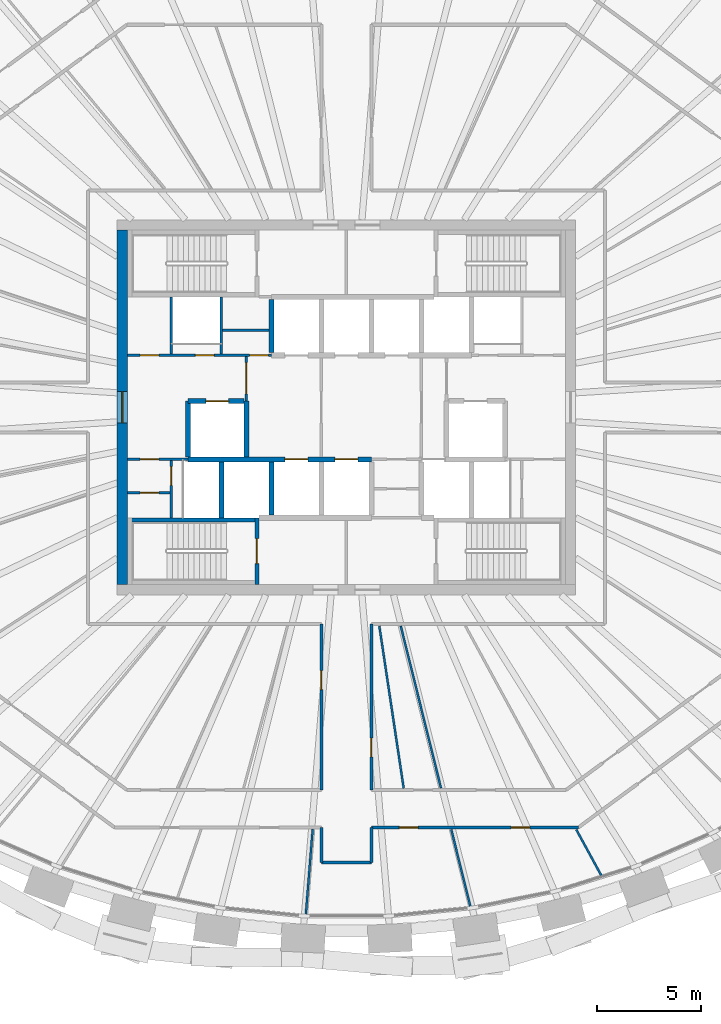
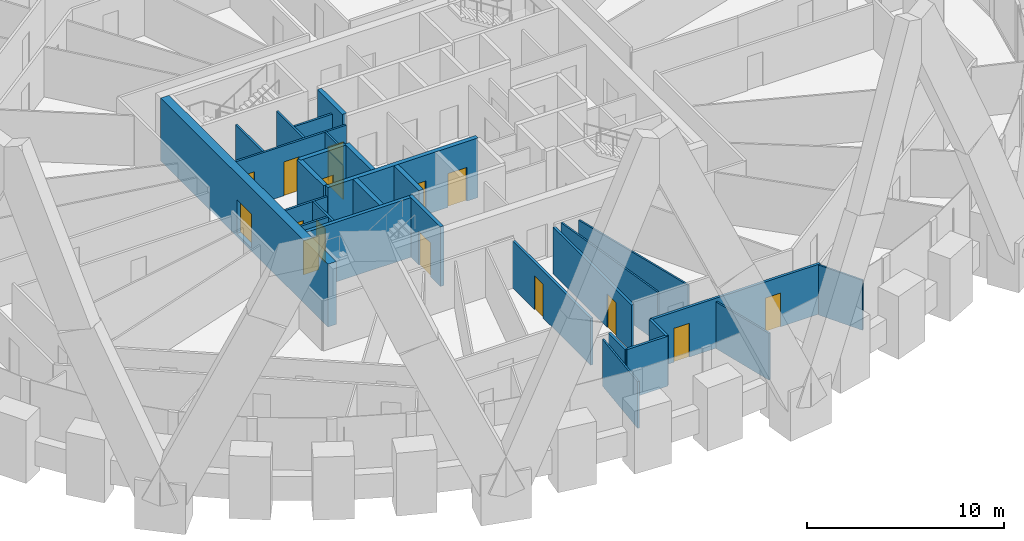
# One storey, part 8 of 14: 29 walls, 16 doors, 16 openings.
"""IFC4 building model written with IfcOpenShell, lengths in metres."""

from ifc_helpers import new_model, si_unit, direction, frame, frame_2d, origin, place, context, subcontext, project, spatial, rectangle, extrude, source, transform, mapped, material, layer, layer_set, type_object, element, fill, save


model = new_model("IFC4")

# Units and contexts
model_context = context("Model", 3, precision=1e-05, world=origin(), true_north=direction((0.0, 1.0)))
body_context = subcontext(model_context, "Body", "Model", "MODEL_VIEW")
ifc_project = project(units=[si_unit("LENGTHUNIT", "METRE"), si_unit("AREAUNIT", "SQUARE_METRE"), si_unit("VOLUMEUNIT", "CUBIC_METRE"), si_unit("PLANEANGLEUNIT", "RADIAN"), si_unit("MASSUNIT", "GRAM", prefix="KILO")], contexts=[model_context])

# Site, building, storey
site_placement = place(None, origin())
site = spatial("IfcSite", under=ifc_project, at=site_placement, CompositionType="ELEMENT")
building_placement = place(site_placement, origin())
building = spatial("IfcBuilding", under=site, at=building_placement, Name="Embergate Tower", CompositionType="ELEMENT")
storey_placement = place(building_placement, frame((0.0, 0.0, 257.800048828125)))
storey = spatial("IfcBuildingStorey", under=building, at=storey_placement, Name="L59", CompositionType="ELEMENT", Elevation=257.800048828125)

# Wall, opening, door
ifc_material_1 = material(Name="Concrete C50", Category="concrete")
ifc_layer_1 = layer(ifc_material_1, 0.5)
ifc_layer_set_1 = layer_set([ifc_layer_1], Name="Concrete C50")
wall_type_1 = type_object("IfcWallType", Name="Core outer wall C50 500", PredefinedType="SHEAR", material=ifc_layer_set_1)
shared_shape_1 = source(origin(), body_context, "Body", "SweptSolid", [
    extrude(rectangle(XDim=17.0, YDim=0.5, at=frame_2d((8.5, 0.0))), origin(), (0.0, 0.0, 1.0), 3.89990234375),
])
wall_1_placement = place(storey_placement, frame((-10.75, -8.5, -0.199951171875), z_axis=(0.0, 0.0, 1.0), x_axis=(0.0, 1.0, 0.0)))
wall_1 = element("IfcWall", 1, at=wall_1_placement, inside=storey, type_object=wall_type_1, Name="CW-L59-W", PredefinedType="SHEAR", context=body_context, shape_type="MappedRepresentation", body=[
    mapped(shared_shape_1, transform((0.0, 0.0, 0.0))),
])
shared_shape_2 = source(origin(), body_context, "Body", "SweptSolid", [
    extrude(rectangle(XDim=1.5, YDim=2.10009765625, at=frame_2d((0.75, 1.050048828125))), frame((0.0, 0.260009765625, 0.0), z_axis=(0.0, -1.0, 0.0), x_axis=(1.0, 0.0, 0.0)), (0.0, 0.0, 1.0), 0.52001953125),
])
opening_1_placement = place(wall_1_placement, frame((7.75, 0.0, 0.199951171875)))
opening_1 = element("IfcOpeningElement", 2, at=opening_1_placement, cuts=wall_1, Name="Opening IF-3", PredefinedType="OPENING", context=body_context, shape_type="MappedRepresentation", body=[
    mapped(shared_shape_2, transform((0.0, 0.0, 0.0))),
])
ifc_material_2 = material(Name="Lobby fire door pair 1500")
door_type_1 = type_object("IfcDoorType", Name="Lobby fire door pair 1500", OperationType="DOUBLE_DOOR_SINGLE_SWING", PredefinedType="DOOR", material=ifc_material_2)
shared_shape_3 = source(origin(), body_context, "Body", "SweptSolid", [
    extrude(rectangle(XDim=1.5, YDim=2.10009765625, at=frame_2d((0.75, 1.050048828125))), frame((0.0, 0.02490234375, 0.0), z_axis=(0.0, -1.0, 0.0), x_axis=(1.0, 0.0, 0.0)), (0.0, 0.0, 1.0), 0.050048828125),
])
door_1_placement = place(opening_1_placement, origin())
door_1 = element("IfcDoor", 3, at=door_1_placement, inside=storey, type_object=door_type_1, Name="IF-3 door", OperationType="DOUBLE_DOOR_SINGLE_SWING", OverallHeight=2.10009765625, OverallWidth=1.5, PredefinedType="DOOR", context=body_context, shape_type="MappedRepresentation", body=[
    mapped(shared_shape_3, transform((0.0, 0.0, 0.0))),
])
fill(opening_1, door_1)

# Walls
ifc_layer_2 = layer(ifc_material_1, 0.25)
ifc_layer_set_2 = layer_set([ifc_layer_2], Name="Concrete C50")
wall_type_2 = type_object("IfcWallType", Name="Hoistway wall reinforced concrete 250", PredefinedType="SHEAR", material=ifc_layer_set_2)
shared_shape_4 = source(origin(), body_context, "Body", "SweptSolid", [
    extrude(rectangle(XDim=2.675048828125, YDim=0.25, at=frame_2d((1.33740234375, 0.0))), origin(), (0.0, 0.0, 1.0), 3.699951171875),
])
for number, where, z_axis, x_axis, name in (
    (4, (-6.0, -5.300048828125, 0.0), (0.0, 0.0, 1.0), (0.0, 1.0, 0.0), "HW-1 wall"),
    (5, (-4.800048828125, 0.300048828125, 0.0), (0.0, 0.0, 1.0), (0.0, -1.0, 0.0), "HW-1 wall"),
):
    element("IfcWall", number, at=place(storey_placement, frame(where, z_axis=z_axis, x_axis=x_axis)), inside=storey, type_object=wall_type_2, Name=name, PredefinedType="SHEAR", context=body_context, shape_type="MappedRepresentation", body=[
        mapped(shared_shape_4, transform((0.0, 0.0, 0.0))),
    ])

# Wall, opening, door
wall_2_placement = place(storey_placement, frame((-4.925048828125, 0.300048828125, 0.0), z_axis=(0.0, 0.0, 1.0), x_axis=(-1.0, 0.0, 0.0)))
wall_2 = element("IfcWall", 6, at=wall_2_placement, inside=storey, type_object=wall_type_2, Name="HW-1 wall", PredefinedType="SHEAR", context=body_context, shape_type="MappedRepresentation", body=[
    mapped(shared_shape_4, transform((0.0, 0.0, 0.0))),
])
shared_shape_5 = source(origin(), body_context, "Body", "SweptSolid", [
    extrude(rectangle(XDim=1.10009765625, YDim=2.10009765625, at=frame_2d((0.550048828125, 1.050048828125))), frame((0.0, 0.135009765625, 0.0), z_axis=(0.0, -1.0, 0.0), x_axis=(1.0, 0.0, 0.0)), (0.0, 0.0, 1.0), 0.27001953125),
])
opening_2_placement = place(wall_2_placement, frame((0.72509765625, 0.0, 0.0)))
opening_2 = element("IfcOpeningElement", 7, at=opening_2_placement, cuts=wall_2, Name="Opening LD", PredefinedType="OPENING", context=body_context, shape_type="MappedRepresentation", body=[
    mapped(shared_shape_5, transform((0.0, 0.0, 0.0))),
])
ifc_material_3 = material(Name="Landing door sliding 1100")
door_type_2 = type_object("IfcDoorType", Name="Landing door sliding 1100", OperationType="SLIDING_TO_LEFT", PredefinedType="DOOR", material=ifc_material_3)
shared_shape_6 = source(origin(), body_context, "Body", "SweptSolid", [
    extrude(rectangle(XDim=1.10009765625, YDim=2.10009765625, at=frame_2d((0.550048828125, 1.050048828125))), frame((0.0, 0.02490234375, 0.0), z_axis=(0.0, -1.0, 0.0), x_axis=(1.0, 0.0, 0.0)), (0.0, 0.0, 1.0), 0.050048828125),
])
door_2_placement = place(opening_2_placement, origin())
door_2 = element("IfcDoor", 8, at=door_2_placement, inside=storey, type_object=door_type_2, Name="LD door", OperationType="SLIDING_TO_LEFT", OverallHeight=2.10009765625, OverallWidth=1.10009765625, PredefinedType="DOOR", context=body_context, shape_type="MappedRepresentation", body=[
    mapped(shared_shape_6, transform((0.0, 0.0, 0.0))),
])
fill(opening_2, door_2)

# Walls
wall_3_placement = place(storey_placement, frame((-7.60009765625, 0.300048828125, 0.0), z_axis=(0.0, 0.0, 1.0), x_axis=(0.0, -1.0, 0.0)))
element("IfcWall", 9, at=wall_3_placement, inside=storey, type_object=wall_type_2, Name="HW-1 wall", PredefinedType="SHEAR", context=body_context, shape_type="MappedRepresentation", body=[
    mapped(shared_shape_4, transform((0.0, 0.0, 0.0))),
])
ifc_layer_3 = layer(ifc_material_1, 0.199951171875)
ifc_layer_set_3 = layer_set([ifc_layer_3], Name="Concrete C50")
wall_type_3 = type_object("IfcWallType", Name="Stair enclosure wall reinforced concrete 250", PredefinedType="SHEAR", material=ifc_layer_set_3)
shared_shape_7 = source(origin(), body_context, "Body", "SweptSolid", [
    extrude(rectangle(XDim=6.300048828125, YDim=0.199951171875, at=frame_2d((3.14990234375, 0.0))), origin(), (0.0, 0.0, 1.0), 3.699951171875),
])
wall_4_placement = place(storey_placement, frame((-10.5, -5.39990234375, 0.0), z_axis=(0.0, 0.0, 1.0), x_axis=(1.0, 0.0, 0.0)))
element("IfcWall", 10, at=wall_4_placement, inside=storey, type_object=wall_type_3, Name="SE-1 wall", PredefinedType="SHEAR", context=body_context, shape_type="MappedRepresentation", body=[
    mapped(shared_shape_7, transform((0.0, 0.0, 0.0))),
])
shared_shape_8 = source(origin(), body_context, "Body", "SweptSolid", [
    extrude(rectangle(XDim=2.550048828125, YDim=0.25, at=frame_2d((1.27490234375, 0.0))), origin(), (0.0, 0.0, 1.0), 3.699951171875),
])
wall_5_placement = place(storey_placement, frame((-3.60009765625, -5.175048828125, 0.0), z_axis=(0.0, 0.0, 1.0), x_axis=(0.0, 1.0, 0.0)))
element("IfcWall", 11, at=wall_5_placement, inside=storey, type_object=wall_type_2, Name="HW-1 wall", PredefinedType="SHEAR", context=body_context, shape_type="MappedRepresentation", body=[
    mapped(shared_shape_8, transform((0.0, 0.0, 0.0))),
])

# Wall, opening, door
shared_shape_9 = source(origin(), body_context, "Body", "SweptSolid", [
    extrude(rectangle(XDim=3.199951171875, YDim=0.199951171875, at=frame_2d((1.60009765625, 0.0))), origin(), (0.0, 0.0, 1.0), 3.699951171875),
])
wall_6_placement = place(storey_placement, frame((-4.300048828125, -8.5, 0.0), z_axis=(0.0, 0.0, 1.0), x_axis=(0.0, 1.0, 0.0)))
wall_6 = element("IfcWall", 12, at=wall_6_placement, inside=storey, type_object=wall_type_3, Name="SE-1 wall", PredefinedType="SHEAR", context=body_context, shape_type="MappedRepresentation", body=[
    mapped(shared_shape_9, transform((0.0, 0.0, 0.0))),
])
shared_shape_10 = source(origin(), body_context, "Body", "SweptSolid", [
    extrude(rectangle(XDim=1.199951171875, YDim=2.10009765625, at=frame_2d((0.60009765625, 1.050048828125))), frame((0.0, 0.10986328125, 0.0), z_axis=(0.0, -1.0, 0.0), x_axis=(1.0, 0.0, 0.0)), (0.0, 0.0, 1.0), 0.219970703125),
])
opening_3_placement = place(wall_6_placement, frame((1.0, 0.0, 0.0)))
opening_3 = element("IfcOpeningElement", 13, at=opening_3_placement, cuts=wall_6, Name="Opening IF-2", PredefinedType="OPENING", context=body_context, shape_type="MappedRepresentation", body=[
    mapped(shared_shape_10, transform((0.0, 0.0, 0.0))),
])
ifc_material_4 = material(Name="Stair enclosure door 1200")
door_type_3 = type_object("IfcDoorType", Name="Stair enclosure door 1200", OperationType="SINGLE_SWING_LEFT", PredefinedType="DOOR", material=ifc_material_4)
shared_shape_11 = source(origin(), body_context, "Body", "SweptSolid", [
    extrude(rectangle(XDim=1.199951171875, YDim=2.10009765625, at=frame_2d((0.60009765625, 1.050048828125))), frame((0.0, 0.02490234375, 0.0), z_axis=(0.0, -1.0, 0.0), x_axis=(1.0, 0.0, 0.0)), (0.0, 0.0, 1.0), 0.050048828125),
])
door_3_placement = place(opening_3_placement, origin())
door_3 = element("IfcDoor", 14, at=door_3_placement, inside=storey, type_object=door_type_3, Name="IF-2 door", OperationType="SINGLE_SWING_RIGHT", OverallHeight=2.10009765625, OverallWidth=1.199951171875, PredefinedType="DOOR", context=body_context, shape_type="MappedRepresentation", body=[
    mapped(shared_shape_11, transform((0.0, 0.0, 0.0))),
])
fill(opening_3, door_3)

# Wall
ifc_material_5 = material(Name="Core partition blockwork 120")
ifc_layer_4 = layer(ifc_material_5, 0.1201171875)
ifc_layer_set_4 = layer_set([ifc_layer_4], Name="Core partition blockwork 120")
wall_type_4 = type_object("IfcWallType", Name="Core partition blockwork 120", PredefinedType="PARTITIONING", material=ifc_layer_set_4)
shared_shape_12 = source(origin(), body_context, "Body", "SweptSolid", [
    extrude(rectangle(XDim=2.739990234375, YDim=0.1201171875, at=frame_2d((1.3701171875, 0.0))), origin(), (0.0, 0.0, 1.0), 3.099853515625),
])
wall_7_placement = place(storey_placement, frame((-8.39990234375, 5.300048828125, 0.0), z_axis=(0.0, 0.0, 1.0), x_axis=(0.0, -1.0, 0.0)))
element("IfcWall", 15, at=wall_7_placement, inside=storey, type_object=wall_type_4, Name="IP-3 wall", PredefinedType="PARTITIONING", context=body_context, shape_type="MappedRepresentation", body=[
    mapped(shared_shape_12, transform((0.0, 0.0, 0.0))),
])

# Wall, opening, door
wall_8_placement = place(storey_placement, frame((-8.39990234375, -2.56005859375, 0.0), z_axis=(0.0, 0.0, 1.0), x_axis=(0.0, -1.0, 0.0)))
wall_8 = element("IfcWall", 16, at=wall_8_placement, inside=storey, type_object=wall_type_4, Name="IP-3 wall", PredefinedType="PARTITIONING", context=body_context, shape_type="MappedRepresentation", body=[
    mapped(shared_shape_12, transform((0.0, 0.0, 0.0))),
])
shared_shape_13 = source(origin(), body_context, "Body", "SweptSolid", [
    extrude(rectangle(XDim=0.89990234375, YDim=2.10009765625, at=frame_2d((0.449951171875, 1.050048828125))), frame((0.0, 0.070068359375, 0.0), z_axis=(0.0, -1.0, 0.0), x_axis=(1.0, 0.0, 0.0)), (0.0, 0.0, 1.0), 0.14013671875),
])
opening_4_placement = place(wall_8_placement, frame((0.2880859375, 0.0, 0.0)))
opening_4 = element("IfcOpeningElement", 17, at=opening_4_placement, cuts=wall_8, Name="Opening ID-1", PredefinedType="OPENING", context=body_context, shape_type="MappedRepresentation", body=[
    mapped(shared_shape_13, transform((0.0, 0.0, 0.0))),
])
ifc_material_6 = material(Name="Interior door 900")
door_type_4 = type_object("IfcDoorType", Name="Interior door 900", OperationType="SINGLE_SWING_LEFT", PredefinedType="DOOR", material=ifc_material_6)
shared_shape_14 = source(origin(), body_context, "Body", "SweptSolid", [
    extrude(rectangle(XDim=0.89990234375, YDim=2.10009765625, at=frame_2d((0.449951171875, 1.050048828125))), frame((0.0, 0.02490234375, 0.0), z_axis=(0.0, -1.0, 0.0), x_axis=(1.0, 0.0, 0.0)), (0.0, 0.0, 1.0), 0.050048828125),
])
door_4_placement = place(opening_4_placement, origin())
door_4 = element("IfcDoor", 18, at=door_4_placement, inside=storey, type_object=door_type_4, Name="ID-1 door", OperationType="SINGLE_SWING_LEFT", OverallHeight=2.10009765625, OverallWidth=0.89990234375, PredefinedType="DOOR", context=body_context, shape_type="MappedRepresentation", body=[
    mapped(shared_shape_14, transform((0.0, 0.0, 0.0))),
])
fill(opening_4, door_4)

# Walls
ifc_material_7 = material(Name="Corridor wall dry-lined 150 wet")
ifc_layer_5 = layer(ifc_material_7, 0.14990234375)
ifc_layer_set_5 = layer_set([ifc_layer_5], Name="Corridor wall dry-lined 150 wet")
wall_type_5 = type_object("IfcWallType", Name="Corridor wall dry-lined 150 wet", PredefinedType="PLUMBINGWALL", material=ifc_layer_set_5)
shared_shape_15 = source(origin(), body_context, "Body", "SweptSolid", [
    extrude(rectangle(XDim=2.39990234375, YDim=0.14990234375, at=frame_2d((1.199951171875, 0.0))), origin(), (0.0, 0.0, 1.0), 3.099853515625),
])
wall_9_placement = place(storey_placement, frame((1.199951171875, -21.845947265625, 0.0), z_axis=(0.0, 0.0, 1.0), x_axis=(-1.0, 0.0, 0.0)))
element("IfcWall", 19, at=wall_9_placement, inside=storey, type_object=wall_type_5, Name="IP-2 wall", PredefinedType="PLUMBINGWALL", context=body_context, shape_type="MappedRepresentation", body=[
    mapped(shared_shape_15, transform((0.0, 0.0, 0.0))),
])
shared_shape_16 = source(origin(), body_context, "Body", "SweptSolid", [
    extrude(rectangle(XDim=2.738037109375, YDim=0.1201171875, at=frame_2d((1.369140625, 0.0))), origin(), (0.0, 0.0, 1.0), 3.099853515625),
])
wall_10_placement = place(storey_placement, frame((-6.0, 2.56005859375, 0.0), z_axis=(0.0, 0.0, 1.0), x_axis=(0.0, 1.0, 0.0)))
element("IfcWall", 20, at=wall_10_placement, inside=storey, type_object=wall_type_4, Name="IP-3 wall", PredefinedType="PARTITIONING", context=body_context, shape_type="MappedRepresentation", body=[
    mapped(shared_shape_16, transform((0.0, 0.0, 0.0))),
])

# Wall, openings, doors
shared_shape_17 = source(origin(), body_context, "Body", "SweptSolid", [
    extrude(rectangle(XDim=8.800048828125, YDim=0.25, at=frame_2d((4.39990234375, 0.0))), origin(), (0.0, 0.0, 1.0), 3.699951171875),
])
wall_11_placement = place(storey_placement, frame((1.199951171875, -2.5, 0.0), z_axis=(0.0, 0.0, 1.0), x_axis=(-1.0, 0.0, 0.0)))
wall_11 = element("IfcWall", 21, at=wall_11_placement, inside=storey, type_object=wall_type_2, Name="HW-1 wall", PredefinedType="SHEAR", context=body_context, shape_type="MappedRepresentation", body=[
    mapped(shared_shape_17, transform((0.0, 0.0, 0.0))),
])
opening_5_placement = place(wall_11_placement, frame((3.050048828125, 0.0, 0.0)))
opening_5 = element("IfcOpeningElement", 22, at=opening_5_placement, cuts=wall_11, Name="Opening LD", PredefinedType="OPENING", context=body_context, shape_type="MappedRepresentation", body=[
    mapped(shared_shape_5, transform((0.0, 0.0, 0.0))),
])
opening_6_placement = place(wall_11_placement, frame((0.64990234375, 0.0, 0.0)))
opening_6 = element("IfcOpeningElement", 23, at=opening_6_placement, cuts=wall_11, Name="Opening LD", PredefinedType="OPENING", context=body_context, shape_type="MappedRepresentation", body=[
    mapped(shared_shape_5, transform((0.0, 0.0, 0.0))),
])
door_5_placement = place(opening_5_placement, origin())
door_5 = element("IfcDoor", 24, at=door_5_placement, inside=storey, type_object=door_type_2, Name="LD door", OperationType="SLIDING_TO_RIGHT", OverallHeight=2.10009765625, OverallWidth=1.10009765625, PredefinedType="DOOR", context=body_context, shape_type="MappedRepresentation", body=[
    mapped(shared_shape_6, transform((0.0, 0.0, 0.0))),
])
fill(opening_5, door_5)
door_6_placement = place(opening_6_placement, origin())
door_6 = element("IfcDoor", 25, at=door_6_placement, inside=storey, type_object=door_type_2, Name="LD door", OperationType="SLIDING_TO_RIGHT", OverallHeight=2.10009765625, OverallWidth=1.10009765625, PredefinedType="DOOR", context=body_context, shape_type="MappedRepresentation", body=[
    mapped(shared_shape_6, transform((0.0, 0.0, 0.0))),
])
fill(opening_6, door_6)

# Wall, opening, door
shared_shape_18 = source(origin(), body_context, "Body", "SweptSolid", [
    extrude(rectangle(XDim=2.89990234375, YDim=0.1201171875, at=frame_2d((1.449951171875, 0.0))), origin(), (0.0, 0.0, 1.0), 3.099853515625),
])
wall_12_placement = place(storey_placement, frame((-7.60009765625, -2.5, 0.0), z_axis=(0.0, 0.0, 1.0), x_axis=(-1.0, 0.0, 0.0)))
wall_12 = element("IfcWall", 26, at=wall_12_placement, inside=storey, type_object=wall_type_4, Name="IP-3 wall", PredefinedType="PARTITIONING", context=body_context, shape_type="MappedRepresentation", body=[
    mapped(shared_shape_18, transform((0.0, 0.0, 0.0))),
])
opening_7_placement = place(wall_12_placement, frame((1.39990234375, 0.0, 0.0)))
opening_7 = element("IfcOpeningElement", 27, at=opening_7_placement, cuts=wall_12, Name="Opening ID-1", PredefinedType="OPENING", context=body_context, shape_type="MappedRepresentation", body=[
    mapped(shared_shape_13, transform((0.0, 0.0, 0.0))),
])
door_7_placement = place(opening_7_placement, origin())
door_7 = element("IfcDoor", 28, at=door_7_placement, inside=storey, type_object=door_type_4, Name="ID-1 door", OperationType="SINGLE_SWING_RIGHT", OverallHeight=2.10009765625, OverallWidth=0.89990234375, PredefinedType="DOOR", context=body_context, shape_type="MappedRepresentation", body=[
    mapped(shared_shape_14, transform((0.0, 0.0, 0.0))),
])
fill(opening_7, door_7)

shared_shape_19 = source(origin(), body_context, "Body", "SweptSolid", [
    extrude(rectangle(XDim=2.139892578125, YDim=0.1201171875, at=frame_2d((1.06982421875, 0.0))), origin(), (0.0, 0.0, 1.0), 3.099853515625),
])
wall_13_placement = place(storey_placement, frame((-4.800048828125, 2.43994140625, 0.0), z_axis=(0.0, 0.0, 1.0), x_axis=(0.0, -1.0, 0.0)))
wall_13 = element("IfcWall", 29, at=wall_13_placement, inside=storey, type_object=wall_type_4, Name="IP-3 wall", PredefinedType="PARTITIONING", context=body_context, shape_type="MappedRepresentation", body=[
    mapped(shared_shape_19, transform((0.0, 0.0, 0.0))),
])
shared_shape_20 = source(origin(), body_context, "Body", "SweptSolid", [
    extrude(rectangle(XDim=1.5, YDim=2.10009765625, at=frame_2d((0.75, 1.050048828125))), frame((0.0, 0.070068359375, 0.0), z_axis=(0.0, -1.0, 0.0), x_axis=(1.0, 0.0, 0.0)), (0.0, 0.0, 1.0), 0.14013671875),
])
opening_8_placement = place(wall_13_placement, frame((0.2900390625, 0.0, 0.0)))
opening_8 = element("IfcOpeningElement", 30, at=opening_8_placement, cuts=wall_13, Name="Opening IF-3", PredefinedType="OPENING", context=body_context, shape_type="MappedRepresentation", body=[
    mapped(shared_shape_20, transform((0.0, 0.0, 0.0))),
])
door_8_placement = place(opening_8_placement, origin())
door_8 = element("IfcDoor", 31, at=door_8_placement, inside=storey, type_object=door_type_1, Name="IF-3 door", OperationType="DOUBLE_DOOR_SINGLE_SWING", OverallHeight=2.10009765625, OverallWidth=1.5, PredefinedType="DOOR", context=body_context, shape_type="MappedRepresentation", body=[
    mapped(shared_shape_3, transform((0.0, 0.0, 0.0))),
])
fill(opening_8, door_8)

# Wall, openings, doors
shared_shape_21 = source(origin(), body_context, "Body", "SweptSolid", [
    extrude(rectangle(XDim=9.926025390625, YDim=0.14990234375, at=frame_2d((4.962890625, 0.0))), origin(), (0.0, 0.0, 1.0), 3.099853515625),
])
wall_14_placement = place(storey_placement, frame((11.1259765625, -20.158935546875, 0.0), z_axis=(0.0, 0.0, 1.0), x_axis=(-1.0, 0.0, 0.0)))
wall_14 = element("IfcWall", 32, at=wall_14_placement, inside=storey, type_object=wall_type_5, Name="IP-2 wall", PredefinedType="PLUMBINGWALL", context=body_context, shape_type="MappedRepresentation", body=[
    mapped(shared_shape_21, transform((0.0, 0.0, 0.0))),
])
shared_shape_22 = source(origin(), body_context, "Body", "SweptSolid", [
    extrude(rectangle(XDim=0.89990234375, YDim=2.10009765625, at=frame_2d((0.449951171875, 1.050048828125))), frame((0.0, 0.0849609375, 0.0), z_axis=(0.0, -1.0, 0.0), x_axis=(1.0, 0.0, 0.0)), (0.0, 0.0, 1.0), 0.169921875),
])
opening_9_placement = place(wall_14_placement, frame((7.688720703125, 0.0, 0.0)))
opening_9 = element("IfcOpeningElement", 33, at=opening_9_placement, cuts=wall_14, Name="Opening IF-1c", PredefinedType="OPENING", context=body_context, shape_type="MappedRepresentation", body=[
    mapped(shared_shape_22, transform((0.0, 0.0, 0.0))),
])
opening_10_placement = place(wall_14_placement, frame((2.32861328125, 0.0, 0.0)))
opening_10 = element("IfcOpeningElement", 34, at=opening_10_placement, cuts=wall_14, Name="Opening IF-1c", PredefinedType="OPENING", context=body_context, shape_type="MappedRepresentation", body=[
    mapped(shared_shape_22, transform((0.0, 0.0, 0.0))),
])
ifc_material_8 = material(Name="Escape fire door 900")
door_type_5 = type_object("IfcDoorType", Name="Escape fire door 900", OperationType="SINGLE_SWING_LEFT", PredefinedType="DOOR", material=ifc_material_8)
door_9_placement = place(opening_9_placement, origin())
door_9 = element("IfcDoor", 35, at=door_9_placement, inside=storey, type_object=door_type_5, Name="IF-1 door", OperationType="SINGLE_SWING_LEFT", OverallHeight=2.10009765625, OverallWidth=0.89990234375, PredefinedType="DOOR", context=body_context, shape_type="MappedRepresentation", body=[
    mapped(shared_shape_14, transform((0.0, 0.0, 0.0))),
])
fill(opening_9, door_9)
door_10_placement = place(opening_10_placement, origin())
door_10 = element("IfcDoor", 36, at=door_10_placement, inside=storey, type_object=door_type_5, Name="IF-1 door", OperationType="SINGLE_SWING_LEFT", OverallHeight=2.10009765625, OverallWidth=0.89990234375, PredefinedType="DOOR", context=body_context, shape_type="MappedRepresentation", body=[
    mapped(shared_shape_14, transform((0.0, 0.0, 0.0))),
])
fill(opening_10, door_10)

# Walls
shared_shape_23 = source(origin(), body_context, "Body", "SweptSolid", [
    extrude(rectangle(XDim=1.68701171875, YDim=0.14990234375, at=frame_2d((0.843505859375, 0.0))), origin(), (0.0, 0.0, 1.0), 3.099853515625),
])
for number, where, z_axis, x_axis, name in (
    (37, (1.199951171875, -20.158935546875, 0.0), (0.0, 0.0, 1.0), (0.0, -1.0, 0.0), "IP-2 wall"),
    (38, (-1.199951171875, -21.845947265625, 0.0), (0.0, 0.0, 1.0), (0.0, 1.0, 0.0), "IP-2 wall"),
):
    element("IfcWall", number, at=place(storey_placement, frame(where, z_axis=z_axis, x_axis=x_axis)), inside=storey, type_object=wall_type_5, Name=name, PredefinedType="PLUMBINGWALL", context=body_context, shape_type="MappedRepresentation", body=[
        mapped(shared_shape_23, transform((0.0, 0.0, 0.0))),
    ])

# Wall, opening, door
shared_shape_24 = source(origin(), body_context, "Body", "SweptSolid", [
    extrude(rectangle(XDim=7.958984375, YDim=0.14990234375, at=frame_2d((3.9794921875, 0.0))), origin(), (0.0, 0.0, 1.0), 2.89990234375),
])
wall_15_placement = place(storey_placement, frame((-1.199951171875, -18.35888671875, 0.0), z_axis=(0.0, 0.0, 1.0), x_axis=(0.0, 1.0, 0.0)))
wall_15 = element("IfcWall", 39, at=wall_15_placement, inside=storey, type_object=wall_type_5, Name="IP-2 wall", PredefinedType="PLUMBINGWALL", context=body_context, shape_type="MappedRepresentation", body=[
    mapped(shared_shape_24, transform((0.0, 0.0, 0.0))),
])
opening_11_placement = place(wall_15_placement, frame((4.8212890625, 0.0, 0.0)))
opening_11 = element("IfcOpeningElement", 40, at=opening_11_placement, cuts=wall_15, Name="Opening IF-1c", PredefinedType="OPENING", context=body_context, shape_type="MappedRepresentation", body=[
    mapped(shared_shape_22, transform((0.0, 0.0, 0.0))),
])
door_11_placement = place(opening_11_placement, origin())
door_11 = element("IfcDoor", 41, at=door_11_placement, inside=storey, type_object=door_type_5, Name="IF-1 door", OperationType="SINGLE_SWING_RIGHT", OverallHeight=2.10009765625, OverallWidth=0.89990234375, PredefinedType="DOOR", context=body_context, shape_type="MappedRepresentation", body=[
    mapped(shared_shape_14, transform((0.0, 0.0, 0.0))),
])
fill(opening_11, door_11)

wall_16_placement = place(storey_placement, frame((1.199951171875, -10.39990234375, 0.0), z_axis=(0.0, 0.0, 1.0), x_axis=(0.0, -1.0, 0.0)))
wall_16 = element("IfcWall", 42, at=wall_16_placement, inside=storey, type_object=wall_type_5, Name="IP-2 wall", PredefinedType="PLUMBINGWALL", context=body_context, shape_type="MappedRepresentation", body=[
    mapped(shared_shape_24, transform((0.0, 0.0, 0.0))),
])
opening_12_placement = place(wall_16_placement, frame((5.467041015625, 0.0, 0.0)))
opening_12 = element("IfcOpeningElement", 43, at=opening_12_placement, cuts=wall_16, Name="Opening IF-1c", PredefinedType="OPENING", context=body_context, shape_type="MappedRepresentation", body=[
    mapped(shared_shape_22, transform((0.0, 0.0, 0.0))),
])
door_12_placement = place(opening_12_placement, origin())
door_12 = element("IfcDoor", 44, at=door_12_placement, inside=storey, type_object=door_type_5, Name="IF-1 door", OperationType="SINGLE_SWING_RIGHT", OverallHeight=2.10009765625, OverallWidth=0.89990234375, PredefinedType="DOOR", context=body_context, shape_type="MappedRepresentation", body=[
    mapped(shared_shape_14, transform((0.0, 0.0, 0.0))),
])
fill(opening_12, door_12)

# Walls
ifc_material_9 = material(Name="Partition dry-lined 100 wet")
ifc_layer_6 = layer(ifc_material_9, 0.10009765625)
ifc_layer_set_6 = layer_set([ifc_layer_6], Name="Partition dry-lined 100 wet")
wall_type_6 = type_object("IfcWallType", Name="Partition dry-lined 100 wet", PredefinedType="PLUMBINGWALL", material=ifc_layer_set_6)
shared_shape_25 = source(origin(), body_context, "Body", "SweptSolid", [
    extrude(rectangle(XDim=4.177490234375, YDim=0.10009765625, at=frame_2d((2.0888671875, 0.0))), origin(), (0.0, 0.0, 1.0), 2.89990234375),
])
wall_17_placement = place(storey_placement, frame((-1.62109375, -20.23388671875, 0.0), z_axis=(0.0, 0.0, 1.0), x_axis=(-0.079949630729, -0.996798904768, 0.0)))
element("IfcWall", 45, at=wall_17_placement, inside=storey, type_object=wall_type_6, Name="IP-1 wall", PredefinedType="PLUMBINGWALL", context=body_context, shape_type="MappedRepresentation", body=[
    mapped(shared_shape_25, transform((0.0, 0.0, 0.0))),
])
shared_shape_26 = source(origin(), body_context, "Body", "SweptSolid", [
    extrude(rectangle(XDim=3.882080078125, YDim=0.10009765625, at=frame_2d((1.94091796875, 0.0))), origin(), (0.0, 0.0, 1.0), 2.89990234375),
])
wall_18_placement = place(storey_placement, frame((5.027099609375, -20.24609375, 0.0), z_axis=(0.0, 0.0, 1.0), x_axis=(0.240803927653, -0.970573783093, 0.0)))
element("IfcWall", 46, at=wall_18_placement, inside=storey, type_object=wall_type_6, Name="IP-1 wall", PredefinedType="PLUMBINGWALL", context=body_context, shape_type="MappedRepresentation", body=[
    mapped(shared_shape_26, transform((0.0, 0.0, 0.0))),
])
shared_shape_27 = source(origin(), body_context, "Body", "SweptSolid", [
    extrude(rectangle(XDim=7.882568359375, YDim=0.10009765625, at=frame_2d((3.94140625, 0.0))), origin(), (0.0, 0.0, 1.0), 3.099853515625),
])
wall_19_placement = place(storey_placement, frame((1.574951171875, -10.48193359375, 0.0), z_axis=(0.0, 0.0, 1.0), x_axis=(0.14857217011, -0.988901567533, 0.0)))
element("IfcWall", 47, at=wall_19_placement, inside=storey, type_object=wall_type_6, Name="IP-1 wall", PredefinedType="PLUMBINGWALL", context=body_context, shape_type="MappedRepresentation", body=[
    mapped(shared_shape_27, transform((0.0, 0.0, 0.0))),
])
shared_shape_28 = source(origin(), body_context, "Body", "SweptSolid", [
    extrude(rectangle(XDim=8.021240234375, YDim=0.10009765625, at=frame_2d((4.0107421875, 0.0))), origin(), (0.0, 0.0, 1.0), 2.89990234375),
])
wall_20_placement = place(storey_placement, frame((2.60400390625, -10.487060546875, 0.0), z_axis=(0.0, 0.0, 1.0), x_axis=(0.24099559466, -0.970526209514, 0.0)))
element("IfcWall", 48, at=wall_20_placement, inside=storey, type_object=wall_type_6, Name="IP-1 wall", PredefinedType="PLUMBINGWALL", context=body_context, shape_type="MappedRepresentation", body=[
    mapped(shared_shape_28, transform((0.0, 0.0, 0.0))),
])
ifc_material_10 = material(Name="Partition dry-lined 100")
ifc_layer_7 = layer(ifc_material_10, 0.10009765625)
ifc_layer_set_7 = layer_set([ifc_layer_7], Name="Partition dry-lined 100")
wall_type_7 = type_object("IfcWallType", Name="Partition dry-lined 100", PredefinedType="PARTITIONING", material=ifc_layer_set_7)
shared_shape_29 = source(origin(), body_context, "Body", "SweptSolid", [
    extrude(rectangle(XDim=2.6162109375, YDim=0.10009765625, at=frame_2d((1.30810546875, 0.0))), origin(), (0.0, 0.0, 1.0), 3.099853515625),
])
wall_21_placement = place(storey_placement, frame((11.027099609375, -20.258056640625, 0.0), z_axis=(0.0, 0.0, 1.0), x_axis=(0.478145872755, -0.878280436061, 0.0)))
element("IfcWall", 49, at=wall_21_placement, inside=storey, type_object=wall_type_7, Name="IP-1 wall", PredefinedType="PARTITIONING", context=body_context, shape_type="MappedRepresentation", body=[
    mapped(shared_shape_29, transform((0.0, 0.0, 0.0))),
])

# Wall, openings, doors
shared_shape_30 = source(origin(), body_context, "Body", "SweptSolid", [
    extrude(rectangle(XDim=6.89990234375, YDim=0.1201171875, at=frame_2d((3.449951171875, 0.0))), origin(), (0.0, 0.0, 1.0), 3.099853515625),
])
wall_22_placement = place(storey_placement, frame((-10.5, 2.5, 0.0), z_axis=(0.0, 0.0, 1.0), x_axis=(1.0, 0.0, 0.0)))
wall_22 = element("IfcWall", 50, at=wall_22_placement, inside=storey, type_object=wall_type_4, Name="IP-3 wall", PredefinedType="PARTITIONING", context=body_context, shape_type="MappedRepresentation", body=[
    mapped(shared_shape_30, transform((0.0, 0.0, 0.0))),
])
opening_13_placement = place(wall_22_placement, frame((3.25, 0.0, 0.0)))
opening_13 = element("IfcOpeningElement", 51, at=opening_13_placement, cuts=wall_22, Name="Opening ID-1", PredefinedType="OPENING", context=body_context, shape_type="MappedRepresentation", body=[
    mapped(shared_shape_13, transform((0.0, 0.0, 0.0))),
])
opening_14_placement = place(wall_22_placement, frame((5.85009765625, 0.0, 0.0)))
opening_14 = element("IfcOpeningElement", 52, at=opening_14_placement, cuts=wall_22, Name="Opening ID-1", PredefinedType="OPENING", context=body_context, shape_type="MappedRepresentation", body=[
    mapped(shared_shape_13, transform((0.0, 0.0, 0.0))),
])
opening_15_placement = place(wall_22_placement, frame((0.60009765625, 0.0, 0.0)))
opening_15 = element("IfcOpeningElement", 53, at=opening_15_placement, cuts=wall_22, Name="Opening ID-1", PredefinedType="OPENING", context=body_context, shape_type="MappedRepresentation", body=[
    mapped(shared_shape_13, transform((0.0, 0.0, 0.0))),
])
door_13_placement = place(opening_13_placement, origin())
door_13 = element("IfcDoor", 54, at=door_13_placement, inside=storey, type_object=door_type_4, Name="ID-1 door", OperationType="SINGLE_SWING_LEFT", OverallHeight=2.10009765625, OverallWidth=0.89990234375, PredefinedType="DOOR", context=body_context, shape_type="MappedRepresentation", body=[
    mapped(shared_shape_14, transform((0.0, 0.0, 0.0))),
])
fill(opening_13, door_13)
door_14_placement = place(opening_14_placement, origin())
door_14 = element("IfcDoor", 55, at=door_14_placement, inside=storey, type_object=door_type_4, Name="ID-1 door", OperationType="SINGLE_SWING_RIGHT", OverallHeight=2.10009765625, OverallWidth=0.89990234375, PredefinedType="DOOR", context=body_context, shape_type="MappedRepresentation", body=[
    mapped(shared_shape_14, transform((0.0, 0.0, 0.0))),
])
fill(opening_14, door_14)
door_15_placement = place(opening_15_placement, origin())
door_15 = element("IfcDoor", 56, at=door_15_placement, inside=storey, type_object=door_type_4, Name="ID-1 door", OperationType="SINGLE_SWING_RIGHT", OverallHeight=2.10009765625, OverallWidth=0.89990234375, PredefinedType="DOOR", context=body_context, shape_type="MappedRepresentation", body=[
    mapped(shared_shape_14, transform((0.0, 0.0, 0.0))),
])
fill(opening_15, door_15)

# Wall
shared_shape_31 = source(origin(), body_context, "Body", "SweptSolid", [
    extrude(rectangle(XDim=2.548095703125, YDim=0.25, at=frame_2d((1.27392578125, 0.0))), origin(), (0.0, 0.0, 1.0), 3.699951171875),
])
wall_23_placement = place(storey_placement, frame((-3.60009765625, 5.173095703125, 0.0), z_axis=(0.0, 0.0, 1.0), x_axis=(0.0, -1.0, 0.0)))
element("IfcWall", 57, at=wall_23_placement, inside=storey, type_object=wall_type_2, Name="HW-1 wall", PredefinedType="SHEAR", context=body_context, shape_type="MappedRepresentation", body=[
    mapped(shared_shape_31, transform((0.0, 0.0, 0.0))),
])

# Wall, opening, door
shared_shape_32 = source(origin(), body_context, "Body", "SweptSolid", [
    extrude(rectangle(XDim=2.0400390625, YDim=0.1201171875, at=frame_2d((1.02001953125, 0.0))), origin(), (0.0, 0.0, 1.0), 3.099853515625),
])
wall_24_placement = place(storey_placement, frame((-8.4599609375, -4.095947265625, 0.0), z_axis=(0.0, 0.0, 1.0), x_axis=(-1.0, 0.0, 0.0)))
wall_24 = element("IfcWall", 58, at=wall_24_placement, inside=storey, type_object=wall_type_4, Name="IP-3 wall", PredefinedType="PARTITIONING", context=body_context, shape_type="MappedRepresentation", body=[
    mapped(shared_shape_32, transform((0.0, 0.0, 0.0))),
])
opening_16_placement = place(wall_24_placement, frame((0.5400390625, 0.0, 0.0)))
opening_16 = element("IfcOpeningElement", 59, at=opening_16_placement, cuts=wall_24, Name="Opening ID-1", PredefinedType="OPENING", context=body_context, shape_type="MappedRepresentation", body=[
    mapped(shared_shape_13, transform((0.0, 0.0, 0.0))),
])
door_16_placement = place(opening_16_placement, origin())
door_16 = element("IfcDoor", 60, at=door_16_placement, inside=storey, type_object=door_type_4, Name="ID-1 door", OperationType="SINGLE_SWING_RIGHT", OverallHeight=2.10009765625, OverallWidth=0.89990234375, PredefinedType="DOOR", context=body_context, shape_type="MappedRepresentation", body=[
    mapped(shared_shape_14, transform((0.0, 0.0, 0.0))),
])
fill(opening_16, door_16)

# Wall
shared_shape_33 = source(origin(), body_context, "Body", "SweptSolid", [
    extrude(rectangle(XDim=2.2109375, YDim=0.1201171875, at=frame_2d((1.10546875, 0.0))), origin(), (0.0, 0.0, 1.0), 3.099853515625),
])
wall_25_placement = place(storey_placement, frame((-3.72705078125, 3.7041015625, 0.0), z_axis=(0.0, 0.0, 1.0), x_axis=(-1.0, 0.0, 0.0)))
element("IfcWall", 61, at=wall_25_placement, inside=storey, type_object=wall_type_4, Name="IP-3 wall", PredefinedType="PARTITIONING", context=body_context, shape_type="MappedRepresentation", body=[
    mapped(shared_shape_33, transform((0.0, 0.0, 0.0))),
])

save(model, "model.ifc")
